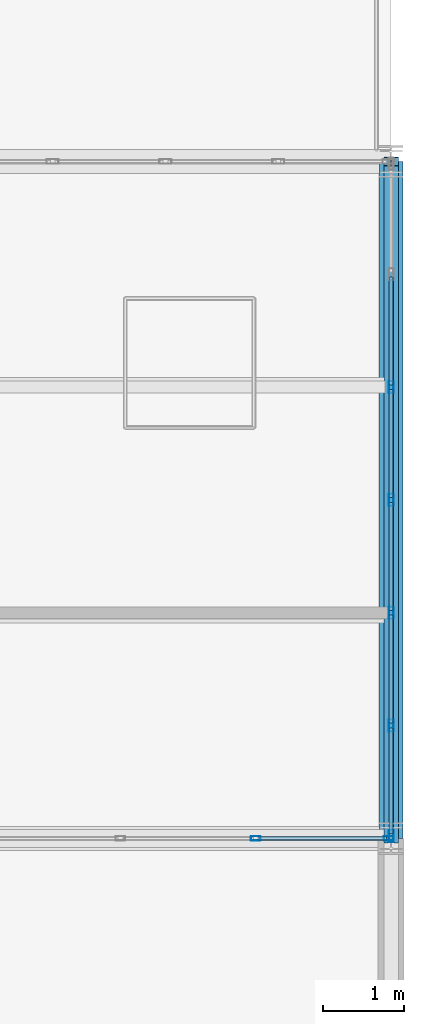
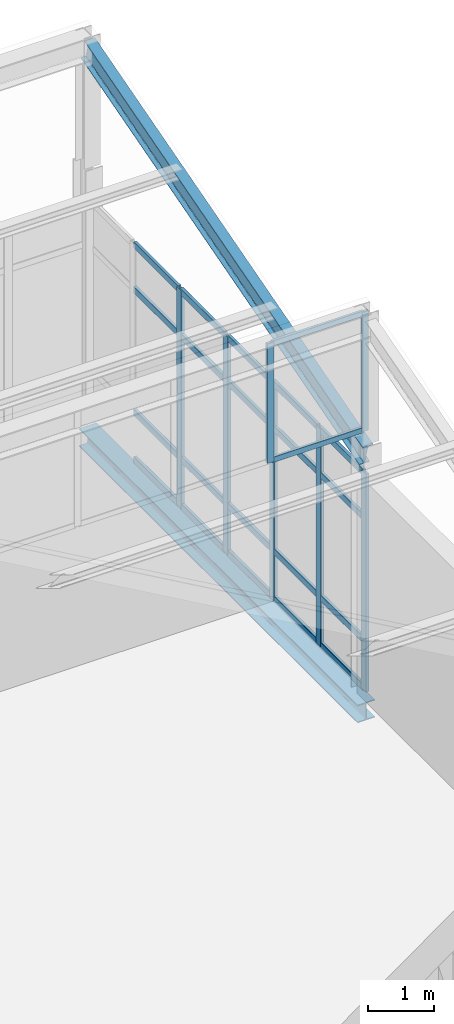
# One storey, part 40 of 53: 29 members, 2 beams, 2 elements without a shape of their own.
"""IFC4 building model written with IfcOpenShell, lengths in metres."""

from ifc_helpers import new_model, si_unit, direction, frame, origin, origin_2d, place, context, subcontext, project, spatial, hollow_rectangle, i_section, extrude, material, layer, layer_set, material_profile, profile_set, type_object, element, aggregate, save


model = new_model("IFC4")

# Units and contexts
model_context = context("Model", 3, precision=1e-05, world=origin(), true_north=direction((0.0, 1.0)))
body_context = subcontext(model_context, "Body", "Model", "MODEL_VIEW")
ifc_project = project(units=[si_unit("LENGTHUNIT", "METRE"), si_unit("AREAUNIT", "SQUARE_METRE"), si_unit("VOLUMEUNIT", "CUBIC_METRE"), si_unit("PLANEANGLEUNIT", "RADIAN"), si_unit("MASSUNIT", "GRAM", prefix="KILO")], contexts=[model_context])

# Site, building, storey
site_placement = place(None, origin())
site = spatial("IfcSite", under=ifc_project, at=site_placement, CompositionType="ELEMENT")
building_placement = place(site_placement, origin())
building = spatial("IfcBuilding", under=site, at=building_placement, Name="Qalvenar Corner Mobility Hub", CompositionType="ELEMENT")
storey_placement = place(building_placement, frame((0.0, 0.0, 26.39990234375)))
storey = spatial("IfcBuildingStorey", under=building, at=storey_placement, Name="L06", CompositionType="ELEMENT", Elevation=26.39990234375)

# Beams
ifc_material_1 = material(Name="Steel S355", Category="steel")
ifc_material_profile_1 = material_profile(ifc_material_1, i_section(OverallWidth=0.179931640625, OverallDepth=0.39990234375, WebThickness=0.008544921875, FlangeThickness=0.013427734375, FilletRadius=0.02099609375, at=origin_2d()), Name="IPE400")
ifc_profile_set_1 = profile_set([ifc_material_profile_1], Name="Steel S355")
beam_type_1 = type_object("IfcBeamType", Name="BM-IPE400", PredefinedType="BEAM", material=ifc_profile_set_1)
beam_1_placement = place(storey_placement, frame((42.0, 25.199951171875, 4.340087890625), z_axis=(0.0, 0.961528165748, 0.274706364092), x_axis=(-1.0, 0.0, 0.0)))
element("IfcBeam", 1, at=beam_1_placement, inside=storey, type_object=beam_type_1, Name="Sawtooth Rafter V3RF-4-6", PredefinedType="BEAM", context=body_context, shape_type="SweptSolid", body=[
    extrude(i_section(OverallWidth=0.179931640625, OverallDepth=0.39990234375, WebThickness=0.008544921875, FlangeThickness=0.013427734375, FilletRadius=0.02099609375, at=origin_2d()), origin(), (0.0, 0.0, 1.0), 8.736328125),
])
ifc_material_profile_2 = material_profile(ifc_material_1, i_section(OverallWidth=0.300048828125, OverallDepth=0.330078125, WebThickness=0.009521484375, FlangeThickness=0.0166015625, FilletRadius=0.027099609375, at=origin_2d()), Name="HEA340")
ifc_profile_set_2 = profile_set([ifc_material_profile_2], Name="Steel S355")
beam_type_2 = type_object("IfcBeamType", Name="BM-SPN340", PredefinedType="SPANDREL", material=ifc_profile_set_2)
beam_2_placement = place(storey_placement, frame((42.0, 25.199951171875, -0.385009765625), z_axis=(0.0, 1.0, 0.0), x_axis=(-1.0, 0.0, 0.0)))
element("IfcBeam", 2, at=beam_2_placement, inside=storey, type_object=beam_type_2, Name="Primary Steel Girder GY-3100", PredefinedType="SPANDREL", context=body_context, shape_type="SweptSolid", body=[
    extrude(i_section(OverallWidth=0.300048828125, OverallDepth=0.330078125, WebThickness=0.009521484375, FlangeThickness=0.0166015625, FilletRadius=0.027099609375, at=origin_2d()), origin(), (0.0, 0.0, 1.0), 8.400146484375),
])

# Curtain wall, members
ifc_material_2 = material(Name="Anodised Aluminium and Low-E Glazing", Category="aluminium")
ifc_layer_1 = layer(ifc_material_2, 0.1201171875)
ifc_layer_set_1 = layer_set([ifc_layer_1], Name="Anodised Aluminium and Low-E Glazing")
curtain_wall_type_1 = type_object("IfcCurtainWallType", Name="CW-CLR-84X24", PredefinedType="NOTDEFINED", material=ifc_layer_set_1)
curtain_wall_1_placement = place(storey_placement, origin())
curtain_wall_1 = element("IfcCurtainWall", 3, at=curtain_wall_1_placement, inside=storey, type_object=curtain_wall_type_1, Name="Glazed Curtain Wall CW-V3-SAW-3-4", PredefinedType="NOTDEFINED")
ifc_material_3 = material(Name="Anodised Aluminium 6063-T6", Category="aluminium")
ifc_material_profile_3 = material_profile(ifc_material_3, hollow_rectangle(XDim=0.054931640625, YDim=0.1201171875, WallThickness=0.00341796875, InnerFilletRadius=0.00341796875, OuterFilletRadius=0.007080078125, at=origin_2d()), Name="RHS120x55x3.5")
ifc_profile_set_3 = profile_set([ifc_material_profile_3], Name="Anodised Aluminium 6063-T6")
member_type_1 = type_object("IfcMemberType", Name="CW-MUL120", PredefinedType="MULLION", material=ifc_profile_set_3)
member_1_placement = place(storey_placement, frame((41.969970703125, 25.199951171875, 4.800048828125), z_axis=(0.0, 0.0, 1.0), x_axis=(0.0, -1.0, 0.0)))
member_1 = element("IfcMember", 4, at=member_1_placement, type_object=member_type_1, Name="CW-12 mullion 1", PredefinedType="MULLION", context=body_context, shape_type="SweptSolid", body=[
    extrude(hollow_rectangle(XDim=0.054931640625, YDim=0.1201171875, WallThickness=0.00341796875, InnerFilletRadius=0.00341796875, OuterFilletRadius=0.007080078125, at=origin_2d()), origin(), (0.0, 0.0, 1.0), 2.199951171875),
])
member_2_placement = place(storey_placement, frame((40.320068359375, 25.199951171875, 4.800048828125), z_axis=(0.0, 0.0, 1.0), x_axis=(0.0, -1.0, 0.0)))
member_2 = element("IfcMember", 5, at=member_2_placement, type_object=member_type_1, Name="CW-12 mullion 2", PredefinedType="MULLION", context=body_context, shape_type="SweptSolid", body=[
    extrude(hollow_rectangle(XDim=0.054931640625, YDim=0.1201171875, WallThickness=0.00341796875, InnerFilletRadius=0.00341796875, OuterFilletRadius=0.007080078125, at=origin_2d()), origin(), (0.0, 0.0, 1.0), 2.199951171875),
])

ifc_layer_2 = layer(ifc_material_2, 0.14990234375)
ifc_layer_set_2 = layer_set([ifc_layer_2], Name="Anodised Aluminium and Low-E Glazing")
curtain_wall_type_2 = type_object("IfcCurtainWallType", Name="CW-SPT-84X44", PredefinedType="NOTDEFINED", material=ifc_layer_set_2)
curtain_wall_2_placement = place(storey_placement, origin())
curtain_wall_2 = element("IfcCurtainWall", 6, at=curtain_wall_2_placement, inside=storey, type_object=curtain_wall_type_2, Name="Glazed Curtain Wall CW-V3-L06-E3", PredefinedType="NOTDEFINED")
ifc_material_profile_4 = material_profile(ifc_material_3, hollow_rectangle(XDim=0.06005859375, YDim=0.14990234375, WallThickness=0.00390625, InnerFilletRadius=0.00390625, OuterFilletRadius=0.008056640625, at=origin_2d()), Name="RHS150x60x4")
ifc_profile_set_4 = profile_set([ifc_material_profile_4], Name="Anodised Aluminium 6063-T6")
member_type_2 = type_object("IfcMemberType", Name="CW-MUL150", PredefinedType="MULLION", material=ifc_profile_set_4)
member_3_placement = place(storey_placement, frame((42.0, 25.22998046875, 0.0), z_axis=(0.0, 0.0, 1.0), x_axis=(-1.0, 0.0, 0.0)))
member_3 = element("IfcMember", 7, at=member_3_placement, type_object=member_type_2, Name="CW-06 mullion 1", PredefinedType="MULLION", context=body_context, shape_type="SweptSolid", body=[
    extrude(hollow_rectangle(XDim=0.06005859375, YDim=0.14990234375, WallThickness=0.00390625, InnerFilletRadius=0.00390625, OuterFilletRadius=0.008056640625, at=origin_2d()), origin(), (0.0, 0.0, 1.0), 4.010009765625),
])
member_4_placement = place(storey_placement, frame((42.0, 26.60009765625, 0.0), z_axis=(0.0, 0.0, 1.0), x_axis=(-1.0, 0.0, 0.0)))
member_4 = element("IfcMember", 8, at=member_4_placement, type_object=member_type_2, Name="CW-06 mullion 2", PredefinedType="MULLION", context=body_context, shape_type="SweptSolid", body=[
    extrude(hollow_rectangle(XDim=0.06005859375, YDim=0.14990234375, WallThickness=0.00390625, InnerFilletRadius=0.00390625, OuterFilletRadius=0.008056640625, at=origin_2d()), origin(), (0.0, 0.0, 1.0), 4.010009765625),
])
member_5_placement = place(storey_placement, frame((42.0, 28.0, 0.0), z_axis=(0.0, 0.0, 1.0), x_axis=(-1.0, 0.0, 0.0)))
member_5 = element("IfcMember", 9, at=member_5_placement, type_object=member_type_2, Name="CW-06 mullion 3", PredefinedType="MULLION", context=body_context, shape_type="SweptSolid", body=[
    extrude(hollow_rectangle(XDim=0.06005859375, YDim=0.14990234375, WallThickness=0.00390625, InnerFilletRadius=0.00390625, OuterFilletRadius=0.008056640625, at=origin_2d()), origin(), (0.0, 0.0, 1.0), 4.010009765625),
])
member_6_placement = place(storey_placement, frame((42.0, 29.39990234375, 0.0), z_axis=(0.0, 0.0, 1.0), x_axis=(-1.0, 0.0, 0.0)))
member_6 = element("IfcMember", 10, at=member_6_placement, type_object=member_type_2, Name="CW-06 mullion 4", PredefinedType="MULLION", context=body_context, shape_type="SweptSolid", body=[
    extrude(hollow_rectangle(XDim=0.06005859375, YDim=0.14990234375, WallThickness=0.00390625, InnerFilletRadius=0.00390625, OuterFilletRadius=0.008056640625, at=origin_2d()), origin(), (0.0, 0.0, 1.0), 4.010009765625),
])
member_7_placement = place(storey_placement, frame((42.0, 30.800048828125, 0.0), z_axis=(0.0, 0.0, 1.0), x_axis=(-1.0, 0.0, 0.0)))
member_7 = element("IfcMember", 11, at=member_7_placement, type_object=member_type_2, Name="CW-06 mullion 5", PredefinedType="MULLION", context=body_context, shape_type="SweptSolid", body=[
    extrude(hollow_rectangle(XDim=0.06005859375, YDim=0.14990234375, WallThickness=0.00390625, InnerFilletRadius=0.00390625, OuterFilletRadius=0.008056640625, at=origin_2d()), origin(), (0.0, 0.0, 1.0), 4.010009765625),
])

# Member
ifc_material_profile_5 = material_profile(ifc_material_3, hollow_rectangle(XDim=0.050048828125, YDim=0.10009765625, WallThickness=0.0029296875, InnerFilletRadius=0.0029296875, OuterFilletRadius=0.006103515625, at=origin_2d()), Name="RHS100x50x3")
ifc_profile_set_5 = profile_set([ifc_material_profile_5], Name="Anodised Aluminium 6063-T6")
member_type_3 = type_object("IfcMemberType", Name="CW-TRN100", PredefinedType="USERDEFINED", material=ifc_profile_set_5)
member_8_placement = place(storey_placement, frame((41.93994140625, 25.199951171875, 4.82763671875), z_axis=(-1.0, 0.0, 0.0), x_axis=(0.0, -1.0, 0.0)))
member_8 = element("IfcMember", 12, at=member_8_placement, type_object=member_type_3, Name="CW-12 transom 1.1", ObjectType="TRANSOM", PredefinedType="USERDEFINED", context=body_context, shape_type="SweptSolid", body=[
    extrude(hollow_rectangle(XDim=0.050048828125, YDim=0.10009765625, WallThickness=0.0029296875, InnerFilletRadius=0.0029296875, OuterFilletRadius=0.006103515625, at=origin_2d()), origin(), (0.0, 0.0, 1.0), 1.58984375),
])

member_9_placement = place(storey_placement, frame((41.93994140625, 25.199951171875, 6.97265625), z_axis=(-1.0, 0.0, 0.0), x_axis=(0.0, -1.0, 0.0)))
member_9 = element("IfcMember", 13, at=member_9_placement, type_object=member_type_3, Name="CW-12 transom 1.2", ObjectType="TRANSOM", PredefinedType="USERDEFINED", context=body_context, shape_type="SweptSolid", body=[
    extrude(hollow_rectangle(XDim=0.050048828125, YDim=0.10009765625, WallThickness=0.0029296875, InnerFilletRadius=0.0029296875, OuterFilletRadius=0.006103515625, at=origin_2d()), origin(), (0.0, 0.0, 1.0), 1.58984375),
])

aggregate(curtain_wall_1, [member_1, member_2, member_8, member_9])

ifc_material_profile_6 = material_profile(ifc_material_3, hollow_rectangle(XDim=0.054931640625, YDim=0.1201171875, WallThickness=0.00341796875, InnerFilletRadius=0.00341796875, OuterFilletRadius=0.007080078125, at=origin_2d()), Name="RHS120x55x3.5")
ifc_profile_set_6 = profile_set([ifc_material_profile_6], Name="Anodised Aluminium 6063-T6")
member_type_4 = type_object("IfcMemberType", Name="CW-TRN120", PredefinedType="USERDEFINED", material=ifc_profile_set_6)
member_10_placement = place(storey_placement, frame((42.0, 25.260009765625, 0.027587890625), z_axis=(0.0, 1.0, 0.0), x_axis=(-1.0, 0.0, 0.0)))
member_10 = element("IfcMember", 14, at=member_10_placement, type_object=member_type_4, Name="CW-06 transom 1.1", ObjectType="TRANSOM", PredefinedType="USERDEFINED", context=body_context, shape_type="SweptSolid", body=[
    extrude(hollow_rectangle(XDim=0.054931640625, YDim=0.1201171875, WallThickness=0.00341796875, InnerFilletRadius=0.00341796875, OuterFilletRadius=0.007080078125, at=origin_2d()), origin(), (0.0, 0.0, 1.0), 1.31005859375),
])

member_11_placement = place(storey_placement, frame((42.0, 25.260009765625, 0.900146484375), z_axis=(0.0, 1.0, 0.0), x_axis=(-1.0, 0.0, 0.0)))
member_11 = element("IfcMember", 15, at=member_11_placement, type_object=member_type_4, Name="CW-06 transom 1.2", ObjectType="TRANSOM", PredefinedType="USERDEFINED", context=body_context, shape_type="SweptSolid", body=[
    extrude(hollow_rectangle(XDim=0.054931640625, YDim=0.1201171875, WallThickness=0.00341796875, InnerFilletRadius=0.00341796875, OuterFilletRadius=0.007080078125, at=origin_2d()), origin(), (0.0, 0.0, 1.0), 1.31005859375),
])

member_12_placement = place(storey_placement, frame((42.0, 25.260009765625, 3.16015625), z_axis=(0.0, 1.0, 0.0), x_axis=(-1.0, 0.0, 0.0)))
member_12 = element("IfcMember", 16, at=member_12_placement, type_object=member_type_4, Name="CW-06 transom 1.3", ObjectType="TRANSOM", PredefinedType="USERDEFINED", context=body_context, shape_type="SweptSolid", body=[
    extrude(hollow_rectangle(XDim=0.054931640625, YDim=0.1201171875, WallThickness=0.00341796875, InnerFilletRadius=0.00341796875, OuterFilletRadius=0.007080078125, at=origin_2d()), origin(), (0.0, 0.0, 1.0), 1.31005859375),
])

member_13_placement = place(storey_placement, frame((42.0, 25.260009765625, 3.982666015625), z_axis=(0.0, 1.0, 0.0), x_axis=(-1.0, 0.0, 0.0)))
member_13 = element("IfcMember", 17, at=member_13_placement, type_object=member_type_4, Name="CW-06 transom 1.4", ObjectType="TRANSOM", PredefinedType="USERDEFINED", context=body_context, shape_type="SweptSolid", body=[
    extrude(hollow_rectangle(XDim=0.054931640625, YDim=0.1201171875, WallThickness=0.00341796875, InnerFilletRadius=0.00341796875, OuterFilletRadius=0.007080078125, at=origin_2d()), origin(), (0.0, 0.0, 1.0), 1.31005859375),
])

member_14_placement = place(storey_placement, frame((42.0, 26.6298828125, 0.027587890625), z_axis=(0.0, 1.0, 0.0), x_axis=(-1.0, 0.0, 0.0)))
member_14 = element("IfcMember", 18, at=member_14_placement, type_object=member_type_4, Name="CW-06 transom 2.1", ObjectType="TRANSOM", PredefinedType="USERDEFINED", context=body_context, shape_type="SweptSolid", body=[
    extrude(hollow_rectangle(XDim=0.054931640625, YDim=0.1201171875, WallThickness=0.00341796875, InnerFilletRadius=0.00341796875, OuterFilletRadius=0.007080078125, at=origin_2d()), origin(), (0.0, 0.0, 1.0), 1.340087890625),
])

member_15_placement = place(storey_placement, frame((42.0, 26.6298828125, 0.900146484375), z_axis=(0.0, 1.0, 0.0), x_axis=(-1.0, 0.0, 0.0)))
member_15 = element("IfcMember", 19, at=member_15_placement, type_object=member_type_4, Name="CW-06 transom 2.2", ObjectType="TRANSOM", PredefinedType="USERDEFINED", context=body_context, shape_type="SweptSolid", body=[
    extrude(hollow_rectangle(XDim=0.054931640625, YDim=0.1201171875, WallThickness=0.00341796875, InnerFilletRadius=0.00341796875, OuterFilletRadius=0.007080078125, at=origin_2d()), origin(), (0.0, 0.0, 1.0), 1.340087890625),
])

member_16_placement = place(storey_placement, frame((42.0, 26.6298828125, 3.16015625), z_axis=(0.0, 1.0, 0.0), x_axis=(-1.0, 0.0, 0.0)))
member_16 = element("IfcMember", 20, at=member_16_placement, type_object=member_type_4, Name="CW-06 transom 2.3", ObjectType="TRANSOM", PredefinedType="USERDEFINED", context=body_context, shape_type="SweptSolid", body=[
    extrude(hollow_rectangle(XDim=0.054931640625, YDim=0.1201171875, WallThickness=0.00341796875, InnerFilletRadius=0.00341796875, OuterFilletRadius=0.007080078125, at=origin_2d()), origin(), (0.0, 0.0, 1.0), 1.340087890625),
])

member_17_placement = place(storey_placement, frame((42.0, 26.6298828125, 3.982666015625), z_axis=(0.0, 1.0, 0.0), x_axis=(-1.0, 0.0, 0.0)))
member_17 = element("IfcMember", 21, at=member_17_placement, type_object=member_type_4, Name="CW-06 transom 2.4", ObjectType="TRANSOM", PredefinedType="USERDEFINED", context=body_context, shape_type="SweptSolid", body=[
    extrude(hollow_rectangle(XDim=0.054931640625, YDim=0.1201171875, WallThickness=0.00341796875, InnerFilletRadius=0.00341796875, OuterFilletRadius=0.007080078125, at=origin_2d()), origin(), (0.0, 0.0, 1.0), 1.340087890625),
])

member_18_placement = place(storey_placement, frame((42.0, 28.030029296875, 0.027587890625), z_axis=(0.0, 1.0, 0.0), x_axis=(-1.0, 0.0, 0.0)))
member_18 = element("IfcMember", 22, at=member_18_placement, type_object=member_type_4, Name="CW-06 transom 3.1", ObjectType="TRANSOM", PredefinedType="USERDEFINED", context=body_context, shape_type="SweptSolid", body=[
    extrude(hollow_rectangle(XDim=0.054931640625, YDim=0.1201171875, WallThickness=0.00341796875, InnerFilletRadius=0.00341796875, OuterFilletRadius=0.007080078125, at=origin_2d()), origin(), (0.0, 0.0, 1.0), 1.340087890625),
])

member_19_placement = place(storey_placement, frame((42.0, 28.030029296875, 0.900146484375), z_axis=(0.0, 1.0, 0.0), x_axis=(-1.0, 0.0, 0.0)))
member_19 = element("IfcMember", 23, at=member_19_placement, type_object=member_type_4, Name="CW-06 transom 3.2", ObjectType="TRANSOM", PredefinedType="USERDEFINED", context=body_context, shape_type="SweptSolid", body=[
    extrude(hollow_rectangle(XDim=0.054931640625, YDim=0.1201171875, WallThickness=0.00341796875, InnerFilletRadius=0.00341796875, OuterFilletRadius=0.007080078125, at=origin_2d()), origin(), (0.0, 0.0, 1.0), 1.340087890625),
])

member_20_placement = place(storey_placement, frame((42.0, 28.030029296875, 3.16015625), z_axis=(0.0, 1.0, 0.0), x_axis=(-1.0, 0.0, 0.0)))
member_20 = element("IfcMember", 24, at=member_20_placement, type_object=member_type_4, Name="CW-06 transom 3.3", ObjectType="TRANSOM", PredefinedType="USERDEFINED", context=body_context, shape_type="SweptSolid", body=[
    extrude(hollow_rectangle(XDim=0.054931640625, YDim=0.1201171875, WallThickness=0.00341796875, InnerFilletRadius=0.00341796875, OuterFilletRadius=0.007080078125, at=origin_2d()), origin(), (0.0, 0.0, 1.0), 1.340087890625),
])

member_21_placement = place(storey_placement, frame((42.0, 28.030029296875, 3.982666015625), z_axis=(0.0, 1.0, 0.0), x_axis=(-1.0, 0.0, 0.0)))
member_21 = element("IfcMember", 25, at=member_21_placement, type_object=member_type_4, Name="CW-06 transom 3.4", ObjectType="TRANSOM", PredefinedType="USERDEFINED", context=body_context, shape_type="SweptSolid", body=[
    extrude(hollow_rectangle(XDim=0.054931640625, YDim=0.1201171875, WallThickness=0.00341796875, InnerFilletRadius=0.00341796875, OuterFilletRadius=0.007080078125, at=origin_2d()), origin(), (0.0, 0.0, 1.0), 1.340087890625),
])

member_22_placement = place(storey_placement, frame((42.0, 29.429931640625, 0.027587890625), z_axis=(0.0, 1.0, 0.0), x_axis=(-1.0, 0.0, 0.0)))
member_22 = element("IfcMember", 26, at=member_22_placement, type_object=member_type_4, Name="CW-06 transom 4.1", ObjectType="TRANSOM", PredefinedType="USERDEFINED", context=body_context, shape_type="SweptSolid", body=[
    extrude(hollow_rectangle(XDim=0.054931640625, YDim=0.1201171875, WallThickness=0.00341796875, InnerFilletRadius=0.00341796875, OuterFilletRadius=0.007080078125, at=origin_2d()), origin(), (0.0, 0.0, 1.0), 1.340087890625),
])

member_23_placement = place(storey_placement, frame((42.0, 29.429931640625, 0.900146484375), z_axis=(0.0, 1.0, 0.0), x_axis=(-1.0, 0.0, 0.0)))
member_23 = element("IfcMember", 27, at=member_23_placement, type_object=member_type_4, Name="CW-06 transom 4.2", ObjectType="TRANSOM", PredefinedType="USERDEFINED", context=body_context, shape_type="SweptSolid", body=[
    extrude(hollow_rectangle(XDim=0.054931640625, YDim=0.1201171875, WallThickness=0.00341796875, InnerFilletRadius=0.00341796875, OuterFilletRadius=0.007080078125, at=origin_2d()), origin(), (0.0, 0.0, 1.0), 1.340087890625),
])

member_24_placement = place(storey_placement, frame((42.0, 29.429931640625, 3.16015625), z_axis=(0.0, 1.0, 0.0), x_axis=(-1.0, 0.0, 0.0)))
member_24 = element("IfcMember", 28, at=member_24_placement, type_object=member_type_4, Name="CW-06 transom 4.3", ObjectType="TRANSOM", PredefinedType="USERDEFINED", context=body_context, shape_type="SweptSolid", body=[
    extrude(hollow_rectangle(XDim=0.054931640625, YDim=0.1201171875, WallThickness=0.00341796875, InnerFilletRadius=0.00341796875, OuterFilletRadius=0.007080078125, at=origin_2d()), origin(), (0.0, 0.0, 1.0), 1.340087890625),
])

member_25_placement = place(storey_placement, frame((42.0, 29.429931640625, 3.982666015625), z_axis=(0.0, 1.0, 0.0), x_axis=(-1.0, 0.0, 0.0)))
member_25 = element("IfcMember", 29, at=member_25_placement, type_object=member_type_4, Name="CW-06 transom 4.4", ObjectType="TRANSOM", PredefinedType="USERDEFINED", context=body_context, shape_type="SweptSolid", body=[
    extrude(hollow_rectangle(XDim=0.054931640625, YDim=0.1201171875, WallThickness=0.00341796875, InnerFilletRadius=0.00341796875, OuterFilletRadius=0.007080078125, at=origin_2d()), origin(), (0.0, 0.0, 1.0), 1.340087890625),
])

member_26_placement = place(storey_placement, frame((42.0, 30.830078125, 0.027587890625), z_axis=(0.0, 1.0, 0.0), x_axis=(-1.0, 0.0, 0.0)))
member_26 = element("IfcMember", 30, at=member_26_placement, type_object=member_type_4, Name="CW-06 transom 5.1", ObjectType="TRANSOM", PredefinedType="USERDEFINED", context=body_context, shape_type="SweptSolid", body=[
    extrude(hollow_rectangle(XDim=0.054931640625, YDim=0.1201171875, WallThickness=0.00341796875, InnerFilletRadius=0.00341796875, OuterFilletRadius=0.007080078125, at=origin_2d()), origin(), (0.0, 0.0, 1.0), 1.33984375),
])

member_27_placement = place(storey_placement, frame((42.0, 30.830078125, 0.900146484375), z_axis=(0.0, 1.0, 0.0), x_axis=(-1.0, 0.0, 0.0)))
member_27 = element("IfcMember", 31, at=member_27_placement, type_object=member_type_4, Name="CW-06 transom 5.2", ObjectType="TRANSOM", PredefinedType="USERDEFINED", context=body_context, shape_type="SweptSolid", body=[
    extrude(hollow_rectangle(XDim=0.054931640625, YDim=0.1201171875, WallThickness=0.00341796875, InnerFilletRadius=0.00341796875, OuterFilletRadius=0.007080078125, at=origin_2d()), origin(), (0.0, 0.0, 1.0), 1.33984375),
])

member_28_placement = place(storey_placement, frame((42.0, 30.830078125, 3.16015625), z_axis=(0.0, 1.0, 0.0), x_axis=(-1.0, 0.0, 0.0)))
member_28 = element("IfcMember", 32, at=member_28_placement, type_object=member_type_4, Name="CW-06 transom 5.3", ObjectType="TRANSOM", PredefinedType="USERDEFINED", context=body_context, shape_type="SweptSolid", body=[
    extrude(hollow_rectangle(XDim=0.054931640625, YDim=0.1201171875, WallThickness=0.00341796875, InnerFilletRadius=0.00341796875, OuterFilletRadius=0.007080078125, at=origin_2d()), origin(), (0.0, 0.0, 1.0), 1.33984375),
])

member_29_placement = place(storey_placement, frame((42.0, 30.830078125, 3.982666015625), z_axis=(0.0, 1.0, 0.0), x_axis=(-1.0, 0.0, 0.0)))
member_29 = element("IfcMember", 33, at=member_29_placement, type_object=member_type_4, Name="CW-06 transom 5.4", ObjectType="TRANSOM", PredefinedType="USERDEFINED", context=body_context, shape_type="SweptSolid", body=[
    extrude(hollow_rectangle(XDim=0.054931640625, YDim=0.1201171875, WallThickness=0.00341796875, InnerFilletRadius=0.00341796875, OuterFilletRadius=0.007080078125, at=origin_2d()), origin(), (0.0, 0.0, 1.0), 1.33984375),
])

aggregate(curtain_wall_2, [member_3, member_4, member_5, member_6, member_7, member_10, member_11, member_12, member_13, member_14, member_15, member_16, member_17, member_18, member_19, member_20, member_21, member_22, member_23, member_24, member_25, member_26, member_27, member_28, member_29])

save(model, "model.ifc")
